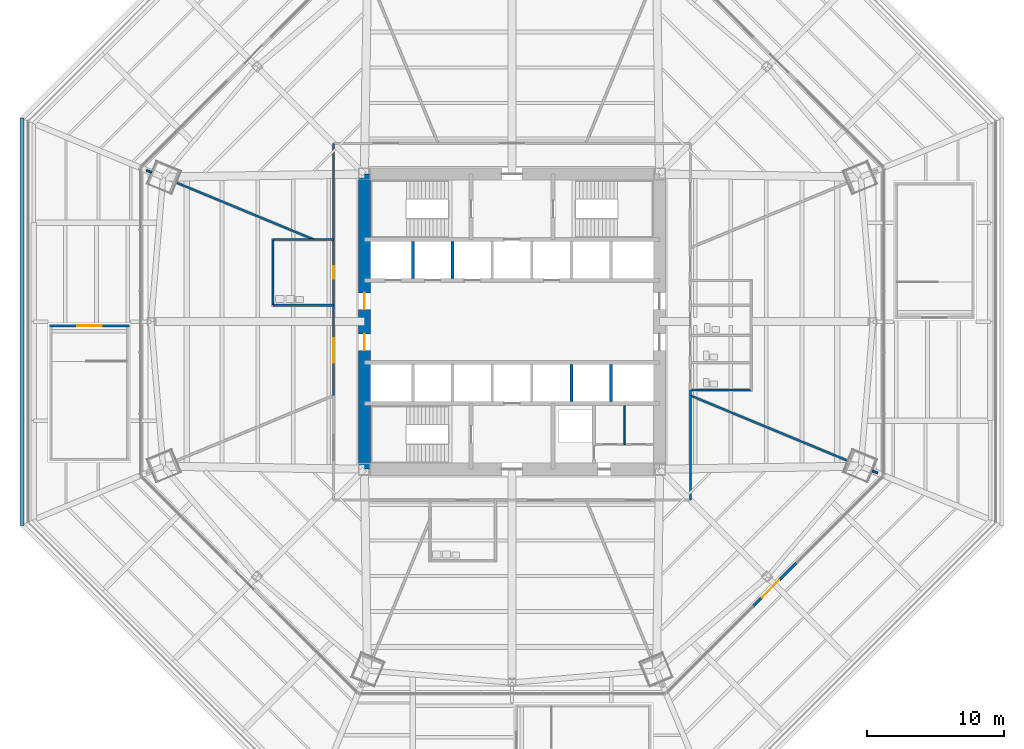
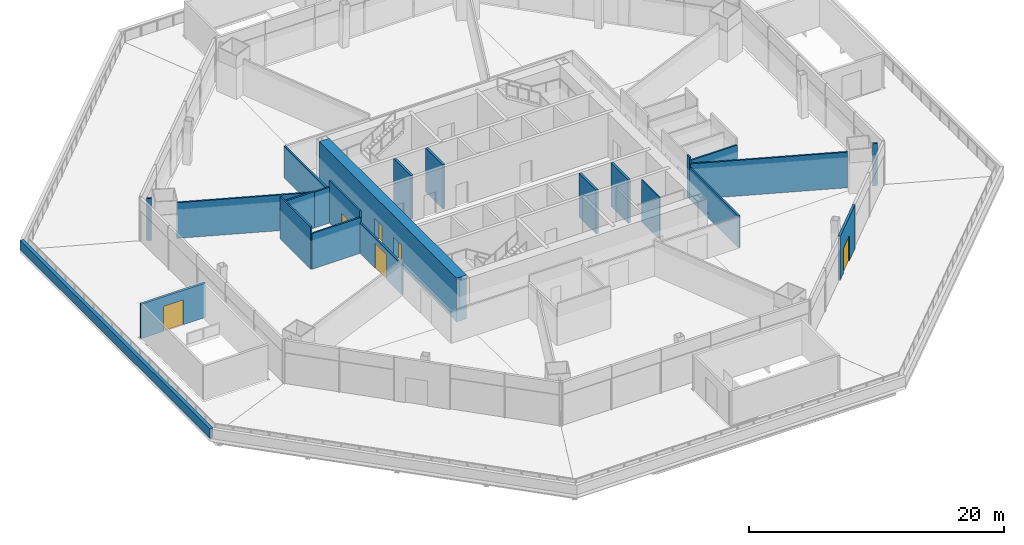
# One storey, part 16 of 25: 23 walls, 6 doors, 6 openings.
"""IFC4 building model written with IfcOpenShell, lengths in metres."""

import ifcopenshell
import ifcopenshell.guid

model = None  # the IFC model being written
_history = None  # IfcOwnerHistory: only IFC2X3 demands one
_inside = {}  # id of a spatial element -> (the spatial element, [elements in it])
_under = {}  # id of a project, library or spatial element -> (it, [spatial elements below it])
_declared = {}  # id of a project -> (the project, [libraries it declares])
_typed = {}  # id of a type object -> (the type object, [elements of that type])
_made_of = {}  # id of a material, layer set ... -> (it, [elements and type objects made of it])


def new_model(schema):
    """Start an empty IFC model of exactly this schema.

    Asked for "IFC4X3", IfcOpenShell would pick the latest addendum, in which some entities
    have other attributes; the version numbers below select the first issue.
    IFC2X3 requires an IfcOwnerHistory on every rooted entity: one is made here for all.
    """
    global model, _history
    if schema == "IFC4X3":
        model = ifcopenshell.file(schema_version=(4, 3, 0, 0))
    else:
        model = ifcopenshell.file(schema=schema)
    _inside.clear()
    _under.clear()
    _declared.clear()
    _typed.clear()
    _made_of.clear()
    _history = None
    if model.schema == "IFC2X3":
        org = make("IfcOrganization", Name="unknown")
        user = make(
            "IfcPersonAndOrganization",
            ThePerson=make("IfcPerson", FamilyName="unknown"),
            TheOrganization=org,
        )
        app = make(
            "IfcApplication",
            ApplicationDeveloper=org,
            Version="unknown",
            ApplicationFullName="unknown",
            ApplicationIdentifier="unknown",
        )
        _history = make(
            "IfcOwnerHistory",
            OwningUser=user,
            OwningApplication=app,
            ChangeAction="ADDED",
            CreationDate=0,
        )
    return model


def make(cls, **values):
    """One entity of the class cls with the attributes given. An attribute that is None is left unset."""
    return model.create_entity(
        cls, **{name: value for name, value in values.items() if value is not None}
    )


def rooted(cls, **values):
    """An entity with a GlobalId (a new one), such as an element, a storey or a relation."""
    return make(cls, GlobalId=ifcopenshell.guid.new(), OwnerHistory=_history, **values)


def si_unit(unit_type, name, prefix=None):
    """IfcSIUnit, for example si_unit("LENGTHUNIT", "METRE", prefix="MILLI")."""
    return make("IfcSIUnit", UnitType=unit_type, Prefix=prefix, Name=name)


def assignment(units):
    """IfcUnitAssignment: the units of a project."""
    return None if units is None else make("IfcUnitAssignment", Units=units)


def point(xyz):
    """IfcCartesianPoint."""
    return None if xyz is None else make("IfcCartesianPoint", Coordinates=xyz)


def direction(xyz):
    """IfcDirection."""
    return None if xyz is None else make("IfcDirection", DirectionRatios=xyz)


def frame(location, z_axis=None, x_axis=None):
    """IfcAxis2Placement3D, a coordinate frame: its origin and axes. An axis left out is left unset."""
    return make(
        "IfcAxis2Placement3D",
        Location=point(location),
        Axis=direction(z_axis),
        RefDirection=direction(x_axis),
    )


def frame_2d(location, x_axis=None):
    """IfcAxis2Placement2D, a coordinate frame in the plane: its origin and x axis."""
    return make(
        "IfcAxis2Placement2D", Location=point(location), RefDirection=direction(x_axis)
    )


def origin():
    """The frame at (0, 0, 0) with its axes left unset."""
    return frame((0.0, 0.0, 0.0))


def place(relative_to, where):
    """IfcLocalPlacement: puts the frame where relative to a parent placement (None: the world)."""
    return make(
        "IfcLocalPlacement", PlacementRelTo=relative_to, RelativePlacement=where
    )


def context(
    kind, dimensions, precision=None, world=None, true_north=None, identifier=None
):
    """IfcGeometricRepresentationContext, for example the 3D "Model" context."""
    return make(
        "IfcGeometricRepresentationContext",
        ContextIdentifier=identifier,
        ContextType=kind,
        CoordinateSpaceDimension=dimensions,
        Precision=precision,
        WorldCoordinateSystem=world,
        TrueNorth=true_north,
    )


def subcontext(parent, identifier, kind, view, scale=None):
    """IfcGeometricRepresentationSubContext, for example "Body" below "Model"."""
    return make(
        "IfcGeometricRepresentationSubContext",
        ContextIdentifier=identifier,
        ContextType=kind,
        ParentContext=parent,
        TargetScale=scale,
        TargetView=view,
    )


def project(units=None, contexts=None):
    """IfcProject with its units and contexts."""
    return rooted(
        "IfcProject",
        Name="project",
        RepresentationContexts=contexts,
        UnitsInContext=assignment(units),
    )


def spatial(cls, under=None, at=None, **own):
    """A site, building, storey or space (cls), placed at a placement, below another one or the project."""
    s = rooted(cls, ObjectPlacement=at, **own)
    if under is not None:
        _under.setdefault(under.id(), (under, []))[1].append(s)
    return s


def profile(cls, at=None, kind="AREA", **sizes):
    """A parametric profile (cls). Its sizes go by their IFC names, for example OverallWidth=200.0."""
    return make(cls, ProfileType=kind, Position=at, **sizes)


def rectangle(**sizes):
    """IfcRectangleProfileDef."""
    return profile("IfcRectangleProfileDef", **sizes)


def extrude(swept, where, along, depth):
    """IfcExtrudedAreaSolid: the profile swept, set in the frame where, extruded along a direction by depth."""
    return make(
        "IfcExtrudedAreaSolid",
        SweptArea=swept,
        Position=where,
        ExtrudedDirection=direction(along),
        Depth=depth,
    )


def shape(context_of_items, identifier, shape_type, items):
    """IfcShapeRepresentation: the items that make up one representation, for example the "Body"."""
    return make(
        "IfcShapeRepresentation",
        ContextOfItems=context_of_items,
        RepresentationIdentifier=identifier,
        RepresentationType=shape_type,
        Items=items,
    )


def material(Name=None, Category=None):
    """IfcMaterial."""
    return make("IfcMaterial", Name=Name, Category=Category)


def layer(
    of_material, thickness, ventilated=None, Name=None, Category=None, Priority=None
):
    """IfcMaterialLayer: one layer of a wall or slab, of a material (None: an air gap)."""
    return make(
        "IfcMaterialLayer",
        Material=of_material,
        LayerThickness=thickness,
        IsVentilated=ventilated,
        Name=Name,
        Category=Category,
        Priority=Priority,
    )


def layer_set(layers, Name=None):
    """IfcMaterialLayerSet."""
    return make("IfcMaterialLayerSet", MaterialLayers=layers, LayerSetName=Name)


def made_of(thing, what):
    """Note that an element or type object is made of a material, layer set ...; save() writes the relation."""
    if what is not None:
        _made_of.setdefault(what.id(), (what, []))[1].append(thing)
    return thing


def type_object(cls, material=None, **own):
    """A type object (cls), such as IfcWallType, which elements share."""
    return made_of(rooted(cls, **own), material)


def element(
    cls,
    number,
    at=None,
    inside=None,
    cuts=None,
    type_object=None,
    material=None,
    context=None,
    identifier="Body",
    shape_type=None,
    held_by="IfcProductDefinitionShape",
    body=None,
    shapes=None,
    **own,
):
    """One element of the class cls, such as IfcWall. Its Tag is "e" and its number.

    at: its placement. inside: the storey or other place that contains it. cuts: it is an
    opening in that element (IfcRelVoidsElement). A single representation is given by context,
    identifier, shape_type and body (its items); several are given by shapes. held_by: the class
    of the entity that holds the representations. save() writes the other relations.
    """
    e = rooted(cls, Tag="e%d" % number, ObjectPlacement=at, **own)
    if body is not None:
        shapes = [shape(context, identifier, shape_type, body)]
    if shapes is not None:
        e.Representation = make(held_by, Representations=shapes)
    if inside is not None:
        _inside.setdefault(inside.id(), (inside, []))[1].append(e)
    if cuts is not None:
        rooted(
            "IfcRelVoidsElement", RelatingBuildingElement=cuts, RelatedOpeningElement=e
        )
    if type_object is not None:
        _typed.setdefault(type_object.id(), (type_object, []))[1].append(e)
    return made_of(e, material)


def fill(opening, filler):
    """IfcRelFillsElement: the door or window that sits in an opening."""
    return rooted(
        "IfcRelFillsElement",
        RelatingOpeningElement=opening,
        RelatedBuildingElement=filler,
    )


def aggregate(whole, parts):
    """IfcRelAggregates: a whole, such as a stair, and the parts it consists of."""
    return rooted("IfcRelAggregates", RelatingObject=whole, RelatedObjects=parts)


def save(model, path):
    """Write the relations noted so far, then the file.

    IfcRelAggregates (storeys below a building ...), IfcRelContainedInSpatialStructure (elements
    in a storey), IfcRelDefinesByType, IfcRelAssociatesMaterial and IfcRelDeclares: one each for
    every whole, place, type object, material and project.
    """
    for whole, parts in _under.values():
        aggregate(whole, parts)
    for where, things in _inside.values():
        rooted(
            "IfcRelContainedInSpatialStructure",
            RelatedElements=things,
            RelatingStructure=where,
        )
    for kind, things in _typed.values():
        rooted("IfcRelDefinesByType", RelatedObjects=things, RelatingType=kind)
    for what, things in _made_of.values():
        rooted("IfcRelAssociatesMaterial", RelatedObjects=things, RelatingMaterial=what)
    for by, libraries in _declared.values():
        rooted("IfcRelDeclares", RelatingContext=by, RelatedDefinitions=libraries)
    model.write(path)


model = new_model("IFC4")

# Units and contexts
model_context = context("Model", 3, precision=1e-05, world=origin(), true_north=direction((0.0, 1.0)))
body_context = subcontext(model_context, "Body", "Model", "MODEL_VIEW")
ifc_project = project(units=[si_unit("LENGTHUNIT", "METRE"), si_unit("AREAUNIT", "SQUARE_METRE"), si_unit("VOLUMEUNIT", "CUBIC_METRE"), si_unit("PLANEANGLEUNIT", "RADIAN"), si_unit("MASSUNIT", "GRAM", prefix="KILO")], contexts=[model_context])

# Site, building, storey
site_placement = place(None, origin())
site = spatial("IfcSite", under=ifc_project, at=site_placement, CompositionType="ELEMENT")
building_placement = place(site_placement, origin())
building = spatial("IfcBuilding", under=site, at=building_placement, Name="Mashrafa Tower", CompositionType="ELEMENT")
storey_placement = place(building_placement, frame((0.0, 0.0, 28.800048828125)))
storey = spatial("IfcBuildingStorey", under=building, at=storey_placement, Name="L05", CompositionType="ELEMENT", Elevation=28.800048828125)

# Wall, openings, doors
ifc_material_1 = material(Name="Concrete C60/75", Category="concrete")
ifc_layer_1 = layer(ifc_material_1, 0.89990234375)
ifc_layer_set_1 = layer_set([ifc_layer_1], Name="Core wall 900 C60/75")
wall_type_1 = type_object("IfcWallType", Name="Core wall 900 C60/75", PredefinedType="SOLIDWALL", material=ifc_layer_set_1)
wall_1_placement = place(storey_placement, frame((-10.800048828125, 10.800048828125, 0.0), z_axis=(0.0, 0.0, 1.0), x_axis=(0.0, -1.0, 0.0)))
wall_1 = element("IfcWall", 1, at=wall_1_placement, inside=storey, type_object=wall_type_1, Name="Core wall CW-W L05", PredefinedType="SOLIDWALL", context=body_context, shape_type="SweptSolid", body=[
    extrude(rectangle(XDim=21.60009765625, YDim=0.89990234375, at=frame_2d((10.800048828125, 0.0))), origin(), (0.0, 0.0, 1.0), 4.199951171875),
])
opening_1_placement = place(wall_1_placement, frame((8.699951171875, 0.0, 0.0)))
opening_1 = element("IfcOpeningElement", 2, at=opening_1_placement, cuts=wall_1, Name="Opening 05.016", PredefinedType="OPENING", context=body_context, shape_type="SweptSolid", body=[
    extrude(rectangle(XDim=1.199951171875, YDim=2.10009765625, at=frame_2d((0.60009765625, 1.050048828125))), frame((0.0, 0.4599609375, 0.0), z_axis=(0.0, -1.0, 0.0), x_axis=(1.0, 0.0, 0.0)), (0.0, 0.0, 1.0), 0.919921875),
])
opening_2_placement = place(wall_1_placement, frame((11.699951171875, 0.0, 0.0)))
opening_2 = element("IfcOpeningElement", 3, at=opening_2_placement, cuts=wall_1, Name="Opening 05.018", PredefinedType="OPENING", context=body_context, shape_type="SweptSolid", body=[
    extrude(rectangle(XDim=1.199951171875, YDim=2.10009765625, at=frame_2d((0.60009765625, 1.050048828125))), frame((0.0, 0.4599609375, 0.0), z_axis=(0.0, -1.0, 0.0), x_axis=(1.0, 0.0, 0.0)), (0.0, 0.0, 1.0), 0.919921875),
])
ifc_material_2 = material(Name="Steel door", Category="steel")
door_type_1 = type_object("IfcDoorType", Name="Lift hall door 1200 x 2100 90 min", OperationType="USERDEFINED", PredefinedType="DOOR", material=ifc_material_2)
door_1_placement = place(opening_1_placement, frame((1.199951171875, 0.0, 0.0), z_axis=(0.0, 0.0, 1.0), x_axis=(-1.0, 0.0, 0.0)))
door_1 = element("IfcDoor", 4, at=door_1_placement, inside=storey, type_object=door_type_1, Name="Lift hall door west L05", OperationType="SINGLE_SWING_RIGHT", OverallHeight=2.10009765625, OverallWidth=1.199951171875, PredefinedType="DOOR", context=body_context, shape_type="SweptSolid", body=[
    extrude(rectangle(XDim=1.199951171875, YDim=2.10009765625, at=frame_2d((0.60009765625, 1.050048828125))), frame((0.0, 0.02490234375, 0.0), z_axis=(0.0, -1.0, 0.0), x_axis=(1.0, 0.0, 0.0)), (0.0, 0.0, 1.0), 0.050048828125),
])
fill(opening_1, door_1)
door_2_placement = place(opening_2_placement, origin())
door_2 = element("IfcDoor", 5, at=door_2_placement, inside=storey, type_object=door_type_1, Name="Lift hall door west L05", OperationType="SINGLE_SWING_LEFT", OverallHeight=2.10009765625, OverallWidth=1.199951171875, PredefinedType="DOOR", context=body_context, shape_type="SweptSolid", body=[
    extrude(rectangle(XDim=1.199951171875, YDim=2.10009765625, at=frame_2d((0.60009765625, 1.050048828125))), frame((0.0, 0.02490234375, 0.0), z_axis=(0.0, -1.0, 0.0), x_axis=(1.0, 0.0, 0.0)), (0.0, 0.0, 1.0), 0.050048828125),
])
fill(opening_2, door_2)

# Wall, opening, door
ifc_material_3 = material(Name="Gypsum board on steel studs", Category="steel")
ifc_layer_2 = layer(ifc_material_3, 0.14990234375)
ifc_layer_set_2 = layer_set([ifc_layer_2], Name="Corridor partition 150 1 hr")
wall_type_2 = type_object("IfcWallType", Name="Corridor partition 150 1 hr", PredefinedType="PARTITIONING", material=ifc_layer_set_2)
wall_2_placement = place(storey_placement, frame((-13.050048828125, 1.199951171875, 0.0), z_axis=(0.0, 0.0, 1.0), x_axis=(0.0, 1.0, 0.0)))
wall_2 = element("IfcWall", 6, at=wall_2_placement, inside=storey, type_object=wall_type_2, Name="Corridor wall L05-014", PredefinedType="PARTITIONING", context=body_context, shape_type="SweptSolid", body=[
    extrude(rectangle(XDim=4.800048828125, YDim=0.14990234375, at=frame_2d((2.39990234375, 0.0))), origin(), (0.0, 0.0, 1.0), 4.034912109375),
])
opening_3_placement = place(wall_2_placement, frame((1.949951171875, 0.0, 0.0)))
opening_3 = element("IfcOpeningElement", 7, at=opening_3_placement, cuts=wall_2, Name="Opening 05.005", PredefinedType="OPENING", context=body_context, shape_type="SweptSolid", body=[
    extrude(rectangle(XDim=0.89990234375, YDim=2.10009765625, at=frame_2d((0.449951171875, 1.050048828125))), frame((0.0, 0.0849609375, 0.0), z_axis=(0.0, -1.0, 0.0), x_axis=(1.0, 0.0, 0.0)), (0.0, 0.0, 1.0), 0.169921875),
])
ifc_material_4 = material(Name="Timber door", Category="wood")
door_type_2 = type_object("IfcDoorType", Name="Toilet door 900 x 2100", OperationType="USERDEFINED", PredefinedType="DOOR", material=ifc_material_4)
door_3_placement = place(opening_3_placement, origin())
door_3 = element("IfcDoor", 8, at=door_3_placement, inside=storey, type_object=door_type_2, Name="Ablution Room Men L05 door", OperationType="SINGLE_SWING_LEFT", OverallHeight=2.10009765625, OverallWidth=0.89990234375, PredefinedType="DOOR", context=body_context, shape_type="SweptSolid", body=[
    extrude(rectangle(XDim=0.89990234375, YDim=2.10009765625, at=frame_2d((0.449951171875, 1.050048828125))), frame((0.0, 0.02490234375, 0.0), z_axis=(0.0, -1.0, 0.0), x_axis=(1.0, 0.0, 0.0)), (0.0, 0.0, 1.0), 0.050048828125),
])
fill(opening_3, door_3)

wall_3_placement = place(storey_placement, frame((-13.050048828125, 1.200927734375, 0.0), z_axis=(0.0, 0.0, 1.0), x_axis=(0.0, -1.0, 0.0)))
wall_3 = element("IfcWall", 9, at=wall_3_placement, inside=storey, type_object=wall_type_2, Name="Corridor wall L05-024", PredefinedType="PARTITIONING", context=body_context, shape_type="SweptSolid", body=[
    extrude(rectangle(XDim=6.607421875, YDim=0.14990234375, at=frame_2d((3.3037109375, 0.0))), origin(), (0.0, 0.0, 1.0), 2.925048828125),
])
opening_4_placement = place(wall_3_placement, frame((2.40380859375, 0.0, 0.0)))
opening_4 = element("IfcOpeningElement", 10, at=opening_4_placement, cuts=wall_3, Name="Opening 05.007", PredefinedType="OPENING", context=body_context, shape_type="SweptSolid", body=[
    extrude(rectangle(XDim=1.800048828125, YDim=2.39990234375, at=frame_2d((0.89990234375, 1.199951171875))), frame((0.0, 0.0849609375, 0.0), z_axis=(0.0, -1.0, 0.0), x_axis=(1.0, 0.0, 0.0)), (0.0, 0.0, 1.0), 0.169921875),
])
ifc_material_5 = material(Name="Timber door", Category="wood")
door_type_3 = type_object("IfcDoorType", Name="Door pair 1800 x 2400", OperationType="DOUBLE_DOOR_SINGLE_SWING", PredefinedType="DOOR", material=ifc_material_5)
door_4_placement = place(opening_4_placement, origin())
door_4 = element("IfcDoor", 11, at=door_4_placement, inside=storey, type_object=door_type_3, Name="Prayer Room Men L05 door", OperationType="DOUBLE_DOOR_SINGLE_SWING", OverallHeight=2.39990234375, OverallWidth=1.800048828125, PredefinedType="DOOR", context=body_context, shape_type="SweptSolid", body=[
    extrude(rectangle(XDim=1.800048828125, YDim=2.39990234375, at=frame_2d((0.89990234375, 1.199951171875))), frame((0.0, 0.02490234375, 0.0), z_axis=(0.0, -1.0, 0.0), x_axis=(1.0, 0.0, 0.0)), (0.0, 0.0, 1.0), 0.050048828125),
])
fill(opening_4, door_4)

# Walls
wall_4_placement = place(storey_placement, frame((13.050048828125, -5.406494140625, 0.0), z_axis=(0.0, 0.0, 1.0), x_axis=(0.0, 1.0, 0.0)))
element("IfcWall", 12, at=wall_4_placement, inside=storey, type_object=wall_type_2, Name="Corridor wall L05-026", PredefinedType="PARTITIONING", context=body_context, shape_type="SweptSolid", body=[
    extrude(rectangle(XDim=0.407470703125, YDim=0.14990234375, at=frame_2d((0.20361328125, 0.0))), origin(), (0.0, 0.0, 1.0), 4.034912109375),
])
wall_5_placement = place(storey_placement, frame((-13.050048828125, 13.050048828125, 0.0), z_axis=(0.0, 0.0, 1.0), x_axis=(0.0, -1.0, 0.0)))
element("IfcWall", 13, at=wall_5_placement, inside=storey, type_object=wall_type_2, Name="Corridor wall L05-032", PredefinedType="PARTITIONING", context=body_context, shape_type="SweptSolid", body=[
    extrude(rectangle(XDim=7.051025390625, YDim=0.14990234375, at=frame_2d((3.525390625, 0.0))), origin(), (0.0, 0.0, 1.0), 3.06494140625),
])
wall_6_placement = place(storey_placement, frame((13.050048828125, -13.050048828125, 0.0), z_axis=(0.0, 0.0, 1.0), x_axis=(0.0, 1.0, 0.0)))
element("IfcWall", 14, at=wall_6_placement, inside=storey, type_object=wall_type_2, Name="Corridor wall L05-036", PredefinedType="PARTITIONING", context=body_context, shape_type="SweptSolid", body=[
    extrude(rectangle(XDim=7.645751953125, YDim=0.14990234375, at=frame_2d((3.82275390625, 0.0))), origin(), (0.0, 0.0, 1.0), 3.06494140625),
])

# Wall, opening, door
ifc_material_6 = material(Name="Bronze-framed glazed screen")
ifc_layer_3 = layer(ifc_material_6, 0.199951171875)
ifc_layer_set_3 = layer_set([ifc_layer_3], Name="Glazed door screen 200")
wall_type_3 = type_object("IfcWallType", Name="Glazed door screen 200", PredefinedType="SOLIDWALL", material=ifc_layer_set_3)
wall_7_placement = place(storey_placement, frame((17.648681640625, -20.81787109375, 0.0), z_axis=(0.0, 0.0, 1.0), x_axis=(0.707106781187, 0.707106781187, 0.0)))
wall_7 = element("IfcWall", 15, at=wall_7_placement, inside=storey, type_object=wall_type_3, Name="Glazed garden door screen L05 south-east", PredefinedType="SOLIDWALL", context=body_context, shape_type="SweptSolid", body=[
    extrude(rectangle(XDim=4.48193359375, YDim=0.199951171875, at=frame_2d((2.240966796875, 0.0))), origin(), (0.0, 0.0, 1.0), 4.199951171875),
])
opening_5_placement = place(wall_7_placement, frame((0.89111328125, 0.0, 0.0)))
opening_5 = element("IfcOpeningElement", 16, at=opening_5_placement, cuts=wall_7, Name="Opening ED4", PredefinedType="OPENING", context=body_context, shape_type="SweptSolid", body=[
    extrude(rectangle(XDim=1.800048828125, YDim=2.39990234375, at=frame_2d((0.89990234375, 1.199951171875))), frame((0.0, 0.10986328125, 0.0), z_axis=(0.0, -1.0, 0.0), x_axis=(1.0, 0.0, 0.0)), (0.0, 0.0, 1.0), 0.219970703125),
])
ifc_material_7 = material(Name="Aluminium-framed glazed door", Category="aluminium")
door_type_4 = type_object("IfcDoorType", Name="Garden door pair 1800 x 2400", OperationType="DOUBLE_DOOR_SINGLE_SWING", PredefinedType="DOOR", material=ifc_material_7)
door_5_placement = place(opening_5_placement, origin())
door_5 = element("IfcDoor", 17, at=door_5_placement, inside=storey, type_object=door_type_4, Name="Garden door L05 south-east", OperationType="SINGLE_SWING_LEFT", OverallHeight=2.39990234375, OverallWidth=1.800048828125, PredefinedType="DOOR", context=body_context, shape_type="SweptSolid", body=[
    extrude(rectangle(XDim=1.800048828125, YDim=2.39990234375, at=frame_2d((0.89990234375, 1.199951171875))), frame((0.0, 0.02490234375, 0.0), z_axis=(0.0, -1.0, 0.0), x_axis=(1.0, 0.0, 0.0)), (0.0, 0.0, 1.0), 0.050048828125),
])
fill(opening_5, door_5)

# Walls
ifc_material_8 = material(Name="Limestone-clad parapet", Category="masonry")
ifc_layer_4 = layer(ifc_material_8, 0.300048828125)
ifc_layer_set_4 = layer_set([ifc_layer_4], Name="Limestone parapet 300")
wall_type_4 = type_object("IfcWallType", Name="Limestone parapet 300", PredefinedType="PARAPET", material=ifc_layer_set_4)
wall_8_placement = place(storey_placement, frame((-35.85009765625, 14.91162109375, 0.0), z_axis=(0.0, 0.0, 1.0), x_axis=(0.0, -1.0, 0.0)))
element("IfcWall", 18, at=wall_8_placement, inside=storey, type_object=wall_type_4, Name="Parapet L05 west", PredefinedType="PARAPET", context=body_context, shape_type="SweptSolid", body=[
    extrude(rectangle(XDim=29.8232421875, YDim=0.300048828125, at=frame_2d((14.91162109375, 0.0))), origin(), (0.0, 0.0, 1.0), 0.89990234375),
])
ifc_material_9 = material(Name="Gypsum board on steel studs", Category="steel")
ifc_layer_5 = layer(ifc_material_9, 0.10009765625)
ifc_layer_set_5 = layer_set([ifc_layer_5], Name="Partition 100 1 hr")
wall_type_5 = type_object("IfcWallType", Name="Partition 100 1 hr", PredefinedType="PARTITIONING", material=ifc_layer_set_5)
wall_9_placement = place(storey_placement, frame((8.22509765625, -9.0, 0.0), z_axis=(0.0, 0.0, 1.0), x_axis=(0.0, 1.0, 0.0)))
element("IfcWall", 19, at=wall_9_placement, inside=storey, type_object=wall_type_5, Name="Services lobby partition B L05", PredefinedType="PARTITIONING", context=body_context, shape_type="SweptSolid", body=[
    extrude(rectangle(XDim=2.85009765625, YDim=0.10009765625, at=frame_2d((1.425048828125, 0.0))), origin(), (0.0, 0.0, 1.0), 4.034912109375),
])
ifc_material_10 = material(Name="Gypsum board on steel studs", Category="steel")
ifc_layer_6 = layer(ifc_material_10, 0.14990234375)
ifc_layer_set_6 = layer_set([ifc_layer_6], Name="Partition 150")
wall_type_6 = type_object("IfcWallType", Name="Partition 150", PredefinedType="PARTITIONING", material=ifc_layer_set_6)
wall_10_placement = place(storey_placement, frame((13.050048828125, -5.0, 0.0), z_axis=(0.0, 0.0, 1.0), x_axis=(1.0, 0.0, 0.0)))
element("IfcWall", 20, at=wall_10_placement, inside=storey, type_object=wall_type_6, Name="Partition wall L05-003", PredefinedType="PARTITIONING", context=body_context, shape_type="SweptSolid", body=[
    extrude(rectangle(XDim=4.449951171875, YDim=0.14990234375, at=frame_2d((2.22509765625, 0.0))), origin(), (0.0, 0.0, 1.0), 3.425537109375),
])
wall_11_placement = place(storey_placement, frame((-14.482666015625, 6.0, 0.0), z_axis=(0.0, 0.0, 1.0), x_axis=(-1.0, 0.0, 0.0)))
element("IfcWall", 21, at=wall_11_placement, inside=storey, type_object=wall_type_6, Name="Partition wall L05-015", PredefinedType="PARTITIONING", context=body_context, shape_type="SweptSolid", body=[
    extrude(rectangle(XDim=3.017333984375, YDim=0.14990234375, at=frame_2d((1.5087890625, 0.0))), origin(), (0.0, 0.0, 1.0), 3.49658203125),
])
wall_12_placement = place(storey_placement, frame((-17.5, 6.0, 0.0), z_axis=(0.0, 0.0, 1.0), x_axis=(0.0, -1.0, 0.0)))
element("IfcWall", 22, at=wall_12_placement, inside=storey, type_object=wall_type_6, Name="Partition wall L05-016", PredefinedType="PARTITIONING", context=body_context, shape_type="SweptSolid", body=[
    extrude(rectangle(XDim=4.800048828125, YDim=0.14990234375, at=frame_2d((2.39990234375, 0.0))), origin(), (0.0, 0.0, 1.0), 4.034912109375),
])
wall_13_placement = place(storey_placement, frame((-17.5, 1.199951171875, 0.0), z_axis=(0.0, 0.0, 1.0), x_axis=(1.0, 0.0, 0.0)))
element("IfcWall", 23, at=wall_13_placement, inside=storey, type_object=wall_type_6, Name="Partition wall L05-017", PredefinedType="PARTITIONING", context=body_context, shape_type="SweptSolid", body=[
    extrude(rectangle(XDim=4.449951171875, YDim=0.14990234375, at=frame_2d((2.22509765625, 0.0))), origin(), (0.0, 0.0, 1.0), 3.425537109375),
])
wall_14_placement = place(storey_placement, frame((-13.050048828125, 6.0, 0.0), z_axis=(0.0, 0.0, 1.0), x_axis=(-1.0, 0.0, 0.0)))
element("IfcWall", 24, at=wall_14_placement, inside=storey, type_object=wall_type_6, Name="Partition wall L05-018", PredefinedType="PARTITIONING", context=body_context, shape_type="SweptSolid", body=[
    extrude(rectangle(XDim=1.437744140625, YDim=0.14990234375, at=frame_2d((0.71875, 0.0))), origin(), (0.0, 0.0, 1.0), 3.425537109375),
])
wall_15_placement = place(storey_placement, frame((-14.4853515625, 6.0, 0.0), z_axis=(0.0, 0.0, 1.0), x_axis=(-0.923877576878, 0.382688153647, 0.0)))
element("IfcWall", 25, at=wall_15_placement, inside=storey, type_object=wall_type_6, Name="Partition wall L05-037", PredefinedType="PARTITIONING", context=body_context, shape_type="SweptSolid", body=[
    extrude(rectangle(XDim=10.897705078125, YDim=0.14990234375, at=frame_2d((5.44873046875, 0.0))), origin(), (0.0, 0.0, 1.0), 3.4228515625),
])
wall_16_placement = place(storey_placement, frame((-26.37109375, 10.92333984375, 0.0), z_axis=(0.0, 0.0, 1.0), x_axis=(-0.924060348039, 0.382246613042, 0.0)))
element("IfcWall", 26, at=wall_16_placement, inside=storey, type_object=wall_type_6, Name="Partition wall L05-038", PredefinedType="PARTITIONING", context=body_context, shape_type="SweptSolid", body=[
    extrude(rectangle(XDim=0.41015625, YDim=0.14990234375, at=frame_2d((0.205078125, 0.0))), origin(), (0.0, 0.0, 1.0), 4.034912109375),
])
wall_17_placement = place(storey_placement, frame((13.050048828125, -5.405517578125, 0.0), z_axis=(0.0, 0.0, 1.0), x_axis=(0.923878940705, -0.382684861109, 0.0)))
element("IfcWall", 27, at=wall_17_placement, inside=storey, type_object=wall_type_6, Name="Partition wall L05-047", PredefinedType="PARTITIONING", context=body_context, shape_type="SweptSolid", body=[
    extrude(rectangle(XDim=12.451171875, YDim=0.14990234375, at=frame_2d((6.2255859375, 0.0))), origin(), (0.0, 0.0, 1.0), 3.4228515625),
])
wall_18_placement = place(storey_placement, frame((26.37109375, -10.92333984375, 0.0), z_axis=(0.0, 0.0, 1.0), x_axis=(0.924060348039, -0.382246613042, 0.0)))
element("IfcWall", 28, at=wall_18_placement, inside=storey, type_object=wall_type_6, Name="Partition wall L05-048", PredefinedType="PARTITIONING", context=body_context, shape_type="SweptSolid", body=[
    extrude(rectangle(XDim=0.41015625, YDim=0.14990234375, at=frame_2d((0.205078125, 0.0))), origin(), (0.0, 0.0, 1.0), 4.034912109375),
])
ifc_material_11 = material(Name="Gypsum shaft wall on steel studs", Category="steel")
ifc_layer_7 = layer(ifc_material_11, 0.199951171875)
ifc_layer_set_7 = layer_set([ifc_layer_7], Name="Shaft divider wall 200 2 hr")
wall_type_7 = type_object("IfcWallType", Name="Shaft divider wall 200 2 hr", PredefinedType="PARTITIONING", material=ifc_layer_set_7)
for number, where, z_axis, x_axis, name in (
    (29, (-7.25, 3.14990234375, 0.0), (0.0, 0.0, 1.0), (0.0, 1.0, 0.0), "Shaft divider wall N1 L05"),
    (30, (-4.35009765625, 3.14990234375, 0.0), (0.0, 0.0, 1.0), (0.0, 1.0, 0.0), "Shaft divider wall N2 L05"),
    (31, (4.35009765625, -5.85009765625, 0.0), (0.0, 0.0, 1.0), (0.0, 1.0, 0.0), "Shaft divider wall S5 L05"),
    (32, (7.25, -5.85009765625, 0.0), (0.0, 0.0, 1.0), (0.0, 1.0, 0.0), "Shaft divider wall S6 L05"),
):
    element("IfcWall", number, at=place(storey_placement, frame(where, z_axis=z_axis, x_axis=x_axis)), inside=storey, type_object=wall_type_7, Name=name, PredefinedType="PARTITIONING", context=body_context, shape_type="SweptSolid", body=[
        extrude(rectangle(XDim=2.7001953125, YDim=0.199951171875, at=frame_2d((1.35009765625, 0.0))), origin(), (0.0, 0.0, 1.0), 4.199951171875),
    ])

# Wall, opening, door
ifc_material_12 = material(Name="Concrete C40/50", Category="concrete")
ifc_layer_8 = layer(ifc_material_12, 0.169921875)
ifc_material_13 = material(Name="Limestone facing", Category="masonry")
ifc_layer_9 = layer(ifc_material_13, 0.030029296875)
ifc_layer_set_8 = layer_set([ifc_layer_8, ifc_layer_9], Name="Stair head-house wall 200")
wall_type_8 = type_object("IfcWallType", Name="Stair head-house wall 200", PredefinedType="SOLIDWALL", material=ifc_layer_set_8)
wall_19_placement = place(storey_placement, frame((-28.0, -0.300048828125, 0.0), z_axis=(0.0, 0.0, 1.0), x_axis=(-1.0, 0.0, 0.0)))
wall_19 = element("IfcWall", 33, at=wall_19_placement, inside=storey, type_object=wall_type_8, Name="Stair P3 head-house wall north", PredefinedType="SOLIDWALL", context=body_context, shape_type="SweptSolid", body=[
    extrude(rectangle(XDim=5.85009765625, YDim=0.199951171875, at=frame_2d((2.925048828125, 0.0))), origin(), (0.0, 0.0, 1.0), 3.300048828125),
])
opening_6_placement = place(wall_19_placement, frame((2.02490234375, 0.0, 0.0)))
opening_6 = element("IfcOpeningElement", 34, at=opening_6_placement, cuts=wall_19, Name="Opening ED2", PredefinedType="OPENING", context=body_context, shape_type="SweptSolid", body=[
    extrude(rectangle(XDim=1.800048828125, YDim=2.39990234375, at=frame_2d((0.89990234375, 1.199951171875))), frame((0.0, 0.10986328125, 0.0), z_axis=(0.0, -1.0, 0.0), x_axis=(1.0, 0.0, 0.0)), (0.0, 0.0, 1.0), 0.219970703125),
])
ifc_material_14 = material(Name="Steel exit door", Category="steel")
door_type_5 = type_object("IfcDoorType", Name="Exit discharge door pair 1800 x 2400", OperationType="DOUBLE_DOOR_SINGLE_SWING", PredefinedType="DOOR", material=ifc_material_14)
door_6_placement = place(opening_6_placement, origin())
door_6 = element("IfcDoor", 35, at=door_6_placement, inside=storey, type_object=door_type_5, Name="Stair P3 roof garden exit", OperationType="SINGLE_SWING_LEFT", OverallHeight=2.39990234375, OverallWidth=1.800048828125, PredefinedType="DOOR", context=body_context, shape_type="SweptSolid", body=[
    extrude(rectangle(XDim=1.800048828125, YDim=2.39990234375, at=frame_2d((0.89990234375, 1.199951171875))), frame((0.0, 0.02490234375, 0.0), z_axis=(0.0, -1.0, 0.0), x_axis=(1.0, 0.0, 0.0)), (0.0, 0.0, 1.0), 0.050048828125),
])
fill(opening_6, door_6)

save(model, "model.ifc")
